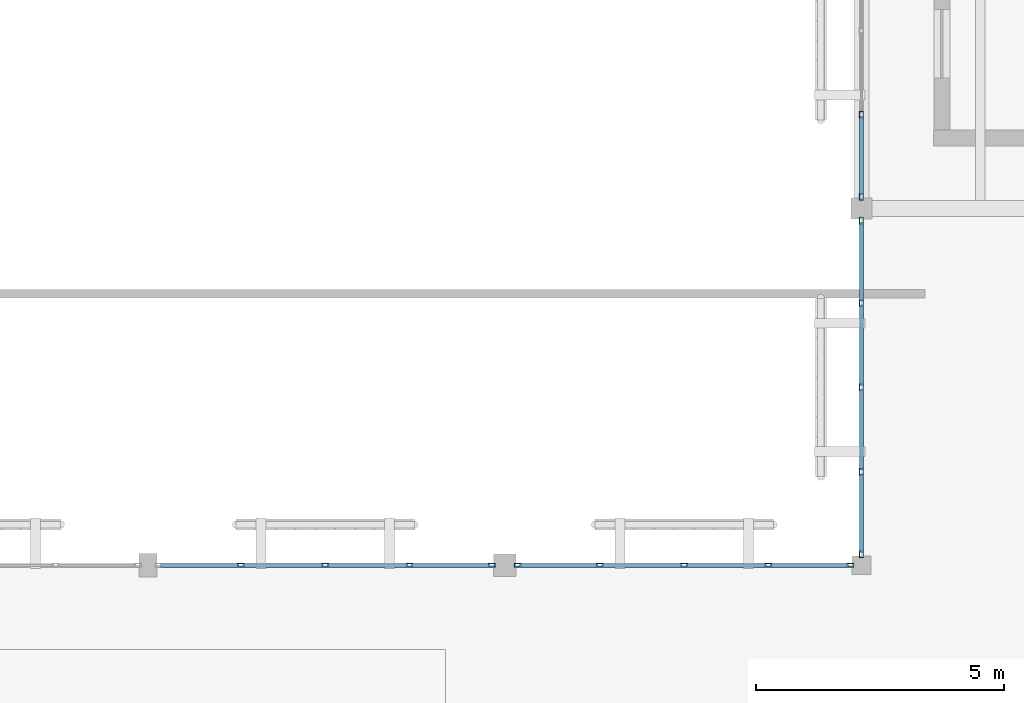
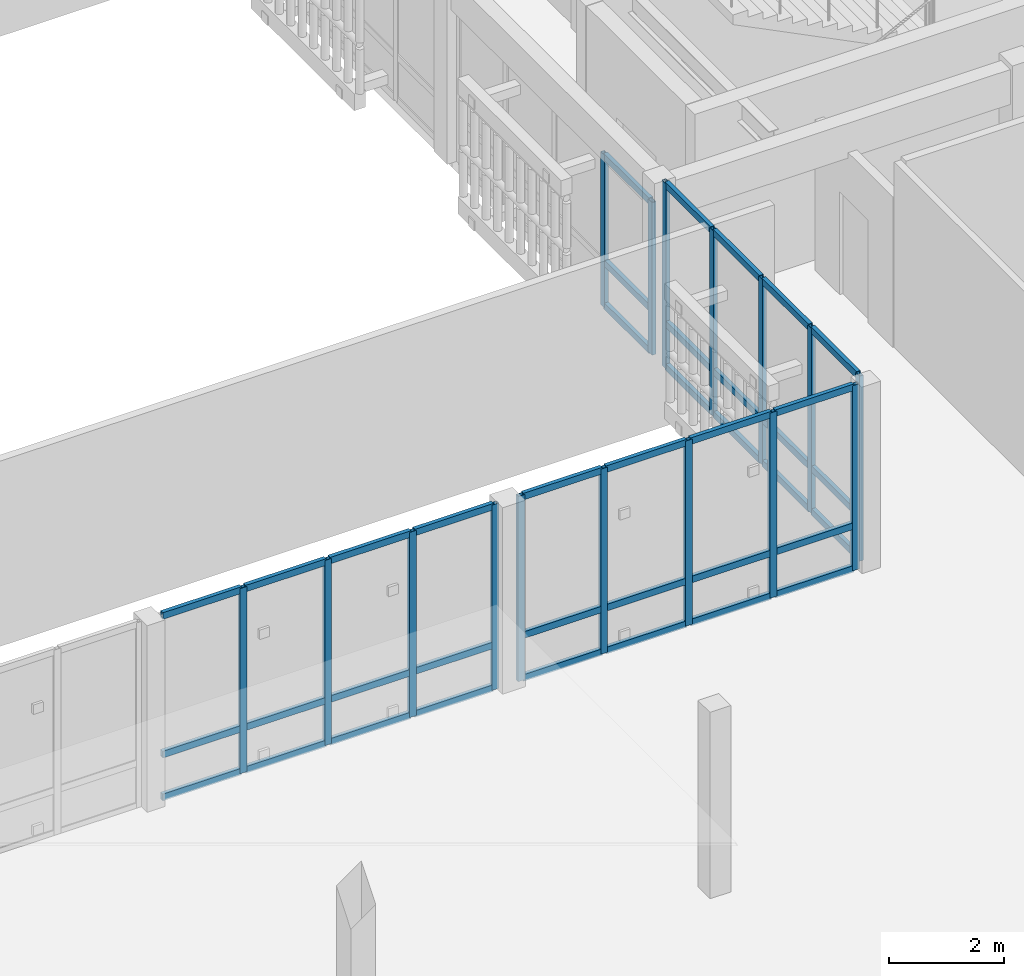
# One storey, part 57 of 112: 55 members, 4 elements without a shape of their own.
"""IFC4 building model written with IfcOpenShell, lengths in metres."""

from ifc_helpers import new_model, si_unit, direction, frame, origin, origin_2d, place, context, subcontext, project, spatial, hollow_rectangle, extrude, material, layer, layer_set, material_profile, profile_set, type_object, element, aggregate, save


model = new_model("IFC4")

# Units and contexts
model_context = context("Model", 3, precision=1e-05, world=origin(), true_north=direction((0.0, 1.0)))
body_context = subcontext(model_context, "Body", "Model", "MODEL_VIEW")
ifc_project = project(units=[si_unit("LENGTHUNIT", "METRE"), si_unit("AREAUNIT", "SQUARE_METRE"), si_unit("VOLUMEUNIT", "CUBIC_METRE"), si_unit("PLANEANGLEUNIT", "RADIAN"), si_unit("MASSUNIT", "GRAM", prefix="KILO")], contexts=[model_context])

# Site, building, storey
site_placement = place(None, origin())
site = spatial("IfcSite", under=ifc_project, at=site_placement, CompositionType="ELEMENT")
building_placement = place(site_placement, origin())
building = spatial("IfcBuilding", under=site, at=building_placement, Name="Mazaris Harbour Polytechnic", CompositionType="ELEMENT")
storey_placement = place(building_placement, frame((0.0, 0.0, 13.800048828125)))
storey = spatial("IfcBuildingStorey", under=building, at=storey_placement, Name="L03", CompositionType="ELEMENT", Elevation=13.800048828125)

# Curtain wall, members
ifc_material_1 = material(Name="Anodised Bronze Aluminium and Low-E Glass", Category="aluminium")
ifc_layer = layer(ifc_material_1, 0.169921875, Name="Anodised Bronze Aluminium and Low-E Glass")
ifc_layer_set = layer_set([ifc_layer], Name="Anodised Bronze Aluminium and Low-E Glass")
curtain_wall_type = type_object("IfcCurtainWallType", Name="Studio North-Light Curtain Wall", PredefinedType="NOTDEFINED", material=ifc_layer_set)
curtain_wall_1_placement = place(storey_placement, origin())
curtain_wall_1 = element("IfcCurtainWall", 1, at=curtain_wall_1_placement, inside=storey, type_object=curtain_wall_type, Name="V5 L03 Curtain Wall 258", PredefinedType="NOTDEFINED")
ifc_material_2 = material(Name="Anodised Bronze Steel S355", Category="steel")
ifc_material_profile_1 = material_profile(ifc_material_2, hollow_rectangle(XDim=0.080078125, YDim=0.139892578125, WallThickness=0.00634765625, at=origin_2d()), Name="RHS 80x140x6.3")
ifc_profile_set_1 = profile_set([ifc_material_profile_1], Name="Anodised Bronze Steel S355")
member_type_1 = type_object("IfcMemberType", Name="Curtain Mullion RHS80x140", PredefinedType="MULLION", material=ifc_profile_set_1)
member_1_placement = place(storey_placement, frame((145.87353515625, 61.199951171875, 0.0), z_axis=(0.0, 0.0, 1.0), x_axis=(0.0, 1.0, 0.0)))
member_1 = element("IfcMember", 2, at=member_1_placement, type_object=member_type_1, Name="CW-03 mullion 2", PredefinedType="MULLION", context=body_context, shape_type="SweptSolid", body=[
    extrude(hollow_rectangle(XDim=0.080078125, YDim=0.139892578125, WallThickness=0.00634765625, at=origin_2d()), origin(), (0.0, 0.0, 1.0), 3.93505859375),
])
member_2_placement = place(storey_placement, frame((147.574951171875, 61.199951171875, 0.0), z_axis=(0.0, 0.0, 1.0), x_axis=(0.0, 1.0, 0.0)))
member_2 = element("IfcMember", 3, at=member_2_placement, type_object=member_type_1, Name="CW-03 mullion 3", PredefinedType="MULLION", context=body_context, shape_type="SweptSolid", body=[
    extrude(hollow_rectangle(XDim=0.080078125, YDim=0.139892578125, WallThickness=0.00634765625, at=origin_2d()), origin(), (0.0, 0.0, 1.0), 3.93505859375),
])
member_3_placement = place(storey_placement, frame((149.276611328125, 61.199951171875, 0.0), z_axis=(0.0, 0.0, 1.0), x_axis=(0.0, 1.0, 0.0)))
member_3 = element("IfcMember", 4, at=member_3_placement, type_object=member_type_1, Name="CW-03 mullion 4", PredefinedType="MULLION", context=body_context, shape_type="SweptSolid", body=[
    extrude(hollow_rectangle(XDim=0.080078125, YDim=0.139892578125, WallThickness=0.00634765625, at=origin_2d()), origin(), (0.0, 0.0, 1.0), 3.93505859375),
])
member_4_placement = place(storey_placement, frame((150.93798828125, 61.199951171875, 0.0), z_axis=(0.0, 0.0, 1.0), x_axis=(0.0, 1.0, 0.0)))
member_4 = element("IfcMember", 5, at=member_4_placement, type_object=member_type_1, Name="CW-03 mullion 5", PredefinedType="MULLION", context=body_context, shape_type="SweptSolid", body=[
    extrude(hollow_rectangle(XDim=0.080078125, YDim=0.139892578125, WallThickness=0.00634765625, at=origin_2d()), origin(), (0.0, 0.0, 1.0), 3.93505859375),
])

curtain_wall_2_placement = place(storey_placement, origin())
curtain_wall_2 = element("IfcCurtainWall", 6, at=curtain_wall_2_placement, inside=storey, type_object=curtain_wall_type, Name="V5 L03 Curtain Wall 259", PredefinedType="NOTDEFINED")
member_5_placement = place(storey_placement, frame((151.4619140625, 61.199951171875, 0.0), z_axis=(0.0, 0.0, 1.0), x_axis=(0.0, 1.0, 0.0)))
member_5 = element("IfcMember", 7, at=member_5_placement, type_object=member_type_1, Name="CW-03 mullion 1", PredefinedType="MULLION", context=body_context, shape_type="SweptSolid", body=[
    extrude(hollow_rectangle(XDim=0.080078125, YDim=0.139892578125, WallThickness=0.00634765625, at=origin_2d()), origin(), (0.0, 0.0, 1.0), 3.93505859375),
])
member_6_placement = place(storey_placement, frame((153.12109375, 61.199951171875, 0.0), z_axis=(0.0, 0.0, 1.0), x_axis=(0.0, 1.0, 0.0)))
member_6 = element("IfcMember", 8, at=member_6_placement, type_object=member_type_1, Name="CW-03 mullion 2", PredefinedType="MULLION", context=body_context, shape_type="SweptSolid", body=[
    extrude(hollow_rectangle(XDim=0.080078125, YDim=0.139892578125, WallThickness=0.00634765625, at=origin_2d()), origin(), (0.0, 0.0, 1.0), 3.93505859375),
])
member_7_placement = place(storey_placement, frame((154.820068359375, 61.199951171875, 0.0), z_axis=(0.0, 0.0, 1.0), x_axis=(0.0, 1.0, 0.0)))
member_7 = element("IfcMember", 9, at=member_7_placement, type_object=member_type_1, Name="CW-03 mullion 3", PredefinedType="MULLION", context=body_context, shape_type="SweptSolid", body=[
    extrude(hollow_rectangle(XDim=0.080078125, YDim=0.139892578125, WallThickness=0.00634765625, at=origin_2d()), origin(), (0.0, 0.0, 1.0), 3.93505859375),
])
member_8_placement = place(storey_placement, frame((156.51904296875, 61.199951171875, 0.0), z_axis=(0.0, 0.0, 1.0), x_axis=(0.0, 1.0, 0.0)))
member_8 = element("IfcMember", 10, at=member_8_placement, type_object=member_type_1, Name="CW-03 mullion 4", PredefinedType="MULLION", context=body_context, shape_type="SweptSolid", body=[
    extrude(hollow_rectangle(XDim=0.080078125, YDim=0.139892578125, WallThickness=0.00634765625, at=origin_2d()), origin(), (0.0, 0.0, 1.0), 3.93505859375),
])
member_9_placement = place(storey_placement, frame((158.177978515625, 61.199951171875, 0.0), z_axis=(0.0, 0.0, 1.0), x_axis=(0.0, 1.0, 0.0)))
member_9 = element("IfcMember", 11, at=member_9_placement, type_object=member_type_1, Name="CW-03 mullion 5", PredefinedType="MULLION", context=body_context, shape_type="SweptSolid", body=[
    extrude(hollow_rectangle(XDim=0.080078125, YDim=0.139892578125, WallThickness=0.00634765625, at=origin_2d()), origin(), (0.0, 0.0, 1.0), 3.93505859375),
])

curtain_wall_3_placement = place(storey_placement, origin())
curtain_wall_3 = element("IfcCurtainWall", 12, at=curtain_wall_3_placement, inside=storey, type_object=curtain_wall_type, Name="V5 L03 Curtain Wall 267", PredefinedType="NOTDEFINED")
member_10_placement = place(storey_placement, frame((158.39990234375, 68.157958984375, 0.0), z_axis=(0.0, 0.0, 1.0), x_axis=(1.0, 0.0, 0.0)))
member_10 = element("IfcMember", 13, at=member_10_placement, type_object=member_type_1, Name="CW-03 mullion 1", PredefinedType="MULLION", context=body_context, shape_type="SweptSolid", body=[
    extrude(hollow_rectangle(XDim=0.080078125, YDim=0.139892578125, WallThickness=0.00634765625, at=origin_2d()), origin(), (0.0, 0.0, 1.0), 3.93505859375),
])
member_11_placement = place(storey_placement, frame((158.39990234375, 66.493896484375, 0.0), z_axis=(0.0, 0.0, 1.0), x_axis=(1.0, 0.0, 0.0)))
member_11 = element("IfcMember", 14, at=member_11_placement, type_object=member_type_1, Name="CW-03 mullion 2", PredefinedType="MULLION", context=body_context, shape_type="SweptSolid", body=[
    extrude(hollow_rectangle(XDim=0.080078125, YDim=0.139892578125, WallThickness=0.00634765625, at=origin_2d()), origin(), (0.0, 0.0, 1.0), 3.93505859375),
])
member_12_placement = place(storey_placement, frame((158.39990234375, 64.7900390625, 0.0), z_axis=(0.0, 0.0, 1.0), x_axis=(1.0, 0.0, 0.0)))
member_12 = element("IfcMember", 15, at=member_12_placement, type_object=member_type_1, Name="CW-03 mullion 3", PredefinedType="MULLION", context=body_context, shape_type="SweptSolid", body=[
    extrude(hollow_rectangle(XDim=0.080078125, YDim=0.139892578125, WallThickness=0.00634765625, at=origin_2d()), origin(), (0.0, 0.0, 1.0), 3.93505859375),
])
member_13_placement = place(storey_placement, frame((158.39990234375, 63.0859375, 0.0), z_axis=(0.0, 0.0, 1.0), x_axis=(1.0, 0.0, 0.0)))
member_13 = element("IfcMember", 16, at=member_13_placement, type_object=member_type_1, Name="CW-03 mullion 4", PredefinedType="MULLION", context=body_context, shape_type="SweptSolid", body=[
    extrude(hollow_rectangle(XDim=0.080078125, YDim=0.139892578125, WallThickness=0.00634765625, at=origin_2d()), origin(), (0.0, 0.0, 1.0), 3.93505859375),
])
member_14_placement = place(storey_placement, frame((158.39990234375, 61.422119140625, 0.0), z_axis=(0.0, 0.0, 1.0), x_axis=(1.0, 0.0, 0.0)))
member_14 = element("IfcMember", 17, at=member_14_placement, type_object=member_type_1, Name="CW-03 mullion 5", PredefinedType="MULLION", context=body_context, shape_type="SweptSolid", body=[
    extrude(hollow_rectangle(XDim=0.080078125, YDim=0.139892578125, WallThickness=0.00634765625, at=origin_2d()), origin(), (0.0, 0.0, 1.0), 3.93505859375),
])

curtain_wall_4_placement = place(storey_placement, origin())
curtain_wall_4 = element("IfcCurtainWall", 18, at=curtain_wall_4_placement, inside=storey, type_object=curtain_wall_type, Name="V5 L03 Curtain Wall 268", PredefinedType="NOTDEFINED")
member_15_placement = place(storey_placement, frame((158.39990234375, 70.2958984375, 0.0), z_axis=(0.0, 0.0, 1.0), x_axis=(1.0, 0.0, 0.0)))
member_15 = element("IfcMember", 19, at=member_15_placement, type_object=member_type_1, Name="CW-03 mullion 4", PredefinedType="MULLION", context=body_context, shape_type="SweptSolid", body=[
    extrude(hollow_rectangle(XDim=0.080078125, YDim=0.139892578125, WallThickness=0.00634765625, at=origin_2d()), origin(), (0.0, 0.0, 1.0), 3.244873046875),
])
member_16_placement = place(storey_placement, frame((158.39990234375, 68.64208984375, 0.0), z_axis=(0.0, 0.0, 1.0), x_axis=(1.0, 0.0, 0.0)))
member_16 = element("IfcMember", 20, at=member_16_placement, type_object=member_type_1, Name="CW-03 mullion 5", PredefinedType="MULLION", context=body_context, shape_type="SweptSolid", body=[
    extrude(hollow_rectangle(XDim=0.080078125, YDim=0.139892578125, WallThickness=0.00634765625, at=origin_2d()), origin(), (0.0, 0.0, 1.0), 3.244873046875),
])

# Member
ifc_material_3 = material(Name="Anodised Bronze Steel S355", Category="steel")
ifc_material_profile_2 = material_profile(ifc_material_3, hollow_rectangle(XDim=0.080078125, YDim=0.139892578125, WallThickness=0.00634765625, at=origin_2d()), Name="RHS 80x140x6.3")
ifc_profile_set_2 = profile_set([ifc_material_profile_2], Name="Anodised Bronze Steel S355")
member_type_2 = type_object("IfcMemberType", Name="Curtain Transom RHS80x140", PredefinedType="USERDEFINED", material=ifc_profile_set_2)
member_17_placement = place(storey_placement, frame((144.251953125, 61.199951171875, 0.0400390625), z_axis=(1.0, 0.0, 0.0), x_axis=(0.0, 1.0, 0.0)))
member_17 = element("IfcMember", 21, at=member_17_placement, type_object=member_type_2, Name="CW-03 transom 1.1", ObjectType="TRANSOM", PredefinedType="USERDEFINED", context=body_context, shape_type="SweptSolid", body=[
    extrude(hollow_rectangle(XDim=0.080078125, YDim=0.139892578125, WallThickness=0.00634765625, at=origin_2d()), origin(), (0.0, 0.0, 1.0), 1.58154296875),
])

member_18_placement = place(storey_placement, frame((144.251953125, 61.199951171875, 0.949951171875), z_axis=(1.0, 0.0, 0.0), x_axis=(0.0, 1.0, 0.0)))
member_18 = element("IfcMember", 22, at=member_18_placement, type_object=member_type_2, Name="CW-03 transom 1.2", ObjectType="TRANSOM", PredefinedType="USERDEFINED", context=body_context, shape_type="SweptSolid", body=[
    extrude(hollow_rectangle(XDim=0.080078125, YDim=0.139892578125, WallThickness=0.00634765625, at=origin_2d()), origin(), (0.0, 0.0, 1.0), 1.58154296875),
])

member_19_placement = place(storey_placement, frame((144.251953125, 61.199951171875, 3.89501953125), z_axis=(1.0, 0.0, 0.0), x_axis=(0.0, 1.0, 0.0)))
member_19 = element("IfcMember", 23, at=member_19_placement, type_object=member_type_2, Name="CW-03 transom 1.3", ObjectType="TRANSOM", PredefinedType="USERDEFINED", context=body_context, shape_type="SweptSolid", body=[
    extrude(hollow_rectangle(XDim=0.080078125, YDim=0.139892578125, WallThickness=0.00634765625, at=origin_2d()), origin(), (0.0, 0.0, 1.0), 1.58154296875),
])

member_20_placement = place(storey_placement, frame((145.91357421875, 61.199951171875, 0.0400390625), z_axis=(1.0, 0.0, 0.0), x_axis=(0.0, 1.0, 0.0)))
member_20 = element("IfcMember", 24, at=member_20_placement, type_object=member_type_2, Name="CW-03 transom 2.1", ObjectType="TRANSOM", PredefinedType="USERDEFINED", context=body_context, shape_type="SweptSolid", body=[
    extrude(hollow_rectangle(XDim=0.080078125, YDim=0.139892578125, WallThickness=0.00634765625, at=origin_2d()), origin(), (0.0, 0.0, 1.0), 1.621337890625),
])

member_21_placement = place(storey_placement, frame((145.91357421875, 61.199951171875, 0.949951171875), z_axis=(1.0, 0.0, 0.0), x_axis=(0.0, 1.0, 0.0)))
member_21 = element("IfcMember", 25, at=member_21_placement, type_object=member_type_2, Name="CW-03 transom 2.2", ObjectType="TRANSOM", PredefinedType="USERDEFINED", context=body_context, shape_type="SweptSolid", body=[
    extrude(hollow_rectangle(XDim=0.080078125, YDim=0.139892578125, WallThickness=0.00634765625, at=origin_2d()), origin(), (0.0, 0.0, 1.0), 1.621337890625),
])

member_22_placement = place(storey_placement, frame((145.91357421875, 61.199951171875, 3.89501953125), z_axis=(1.0, 0.0, 0.0), x_axis=(0.0, 1.0, 0.0)))
member_22 = element("IfcMember", 26, at=member_22_placement, type_object=member_type_2, Name="CW-03 transom 2.3", ObjectType="TRANSOM", PredefinedType="USERDEFINED", context=body_context, shape_type="SweptSolid", body=[
    extrude(hollow_rectangle(XDim=0.080078125, YDim=0.139892578125, WallThickness=0.00634765625, at=origin_2d()), origin(), (0.0, 0.0, 1.0), 1.621337890625),
])

member_23_placement = place(storey_placement, frame((147.614990234375, 61.199951171875, 0.0400390625), z_axis=(1.0, 0.0, 0.0), x_axis=(0.0, 1.0, 0.0)))
member_23 = element("IfcMember", 27, at=member_23_placement, type_object=member_type_2, Name="CW-03 transom 3.1", ObjectType="TRANSOM", PredefinedType="USERDEFINED", context=body_context, shape_type="SweptSolid", body=[
    extrude(hollow_rectangle(XDim=0.080078125, YDim=0.139892578125, WallThickness=0.00634765625, at=origin_2d()), origin(), (0.0, 0.0, 1.0), 1.62158203125),
])

member_24_placement = place(storey_placement, frame((147.614990234375, 61.199951171875, 0.949951171875), z_axis=(1.0, 0.0, 0.0), x_axis=(0.0, 1.0, 0.0)))
member_24 = element("IfcMember", 28, at=member_24_placement, type_object=member_type_2, Name="CW-03 transom 3.2", ObjectType="TRANSOM", PredefinedType="USERDEFINED", context=body_context, shape_type="SweptSolid", body=[
    extrude(hollow_rectangle(XDim=0.080078125, YDim=0.139892578125, WallThickness=0.00634765625, at=origin_2d()), origin(), (0.0, 0.0, 1.0), 1.62158203125),
])

member_25_placement = place(storey_placement, frame((147.614990234375, 61.199951171875, 3.89501953125), z_axis=(1.0, 0.0, 0.0), x_axis=(0.0, 1.0, 0.0)))
member_25 = element("IfcMember", 29, at=member_25_placement, type_object=member_type_2, Name="CW-03 transom 3.3", ObjectType="TRANSOM", PredefinedType="USERDEFINED", context=body_context, shape_type="SweptSolid", body=[
    extrude(hollow_rectangle(XDim=0.080078125, YDim=0.139892578125, WallThickness=0.00634765625, at=origin_2d()), origin(), (0.0, 0.0, 1.0), 1.62158203125),
])

member_26_placement = place(storey_placement, frame((149.31640625, 61.199951171875, 0.0400390625), z_axis=(1.0, 0.0, 0.0), x_axis=(0.0, 1.0, 0.0)))
member_26 = element("IfcMember", 30, at=member_26_placement, type_object=member_type_2, Name="CW-03 transom 4.1", ObjectType="TRANSOM", PredefinedType="USERDEFINED", context=body_context, shape_type="SweptSolid", body=[
    extrude(hollow_rectangle(XDim=0.080078125, YDim=0.139892578125, WallThickness=0.00634765625, at=origin_2d()), origin(), (0.0, 0.0, 1.0), 1.58154296875),
])

member_27_placement = place(storey_placement, frame((149.31640625, 61.199951171875, 0.949951171875), z_axis=(1.0, 0.0, 0.0), x_axis=(0.0, 1.0, 0.0)))
member_27 = element("IfcMember", 31, at=member_27_placement, type_object=member_type_2, Name="CW-03 transom 4.2", ObjectType="TRANSOM", PredefinedType="USERDEFINED", context=body_context, shape_type="SweptSolid", body=[
    extrude(hollow_rectangle(XDim=0.080078125, YDim=0.139892578125, WallThickness=0.00634765625, at=origin_2d()), origin(), (0.0, 0.0, 1.0), 1.58154296875),
])

member_28_placement = place(storey_placement, frame((149.31640625, 61.199951171875, 3.89501953125), z_axis=(1.0, 0.0, 0.0), x_axis=(0.0, 1.0, 0.0)))
member_28 = element("IfcMember", 32, at=member_28_placement, type_object=member_type_2, Name="CW-03 transom 4.3", ObjectType="TRANSOM", PredefinedType="USERDEFINED", context=body_context, shape_type="SweptSolid", body=[
    extrude(hollow_rectangle(XDim=0.080078125, YDim=0.139892578125, WallThickness=0.00634765625, at=origin_2d()), origin(), (0.0, 0.0, 1.0), 1.58154296875),
])

aggregate(curtain_wall_1, [member_1, member_2, member_3, member_4, member_17, member_18, member_19, member_20, member_21, member_22, member_23, member_24, member_25, member_26, member_27, member_28])

member_29_placement = place(storey_placement, frame((151.501953125, 61.199951171875, 0.0400390625), z_axis=(1.0, 0.0, 0.0), x_axis=(0.0, 1.0, 0.0)))
member_29 = element("IfcMember", 33, at=member_29_placement, type_object=member_type_2, Name="CW-03 transom 1.1", ObjectType="TRANSOM", PredefinedType="USERDEFINED", context=body_context, shape_type="SweptSolid", body=[
    extrude(hollow_rectangle(XDim=0.080078125, YDim=0.139892578125, WallThickness=0.00634765625, at=origin_2d()), origin(), (0.0, 0.0, 1.0), 1.5791015625),
])

member_30_placement = place(storey_placement, frame((151.501953125, 61.199951171875, 0.949951171875), z_axis=(1.0, 0.0, 0.0), x_axis=(0.0, 1.0, 0.0)))
member_30 = element("IfcMember", 34, at=member_30_placement, type_object=member_type_2, Name="CW-03 transom 1.2", ObjectType="TRANSOM", PredefinedType="USERDEFINED", context=body_context, shape_type="SweptSolid", body=[
    extrude(hollow_rectangle(XDim=0.080078125, YDim=0.139892578125, WallThickness=0.00634765625, at=origin_2d()), origin(), (0.0, 0.0, 1.0), 1.5791015625),
])

member_31_placement = place(storey_placement, frame((151.501953125, 61.199951171875, 3.89501953125), z_axis=(1.0, 0.0, 0.0), x_axis=(0.0, 1.0, 0.0)))
member_31 = element("IfcMember", 35, at=member_31_placement, type_object=member_type_2, Name="CW-03 transom 1.3", ObjectType="TRANSOM", PredefinedType="USERDEFINED", context=body_context, shape_type="SweptSolid", body=[
    extrude(hollow_rectangle(XDim=0.080078125, YDim=0.139892578125, WallThickness=0.00634765625, at=origin_2d()), origin(), (0.0, 0.0, 1.0), 1.5791015625),
])

member_32_placement = place(storey_placement, frame((153.160888671875, 61.199951171875, 0.0400390625), z_axis=(1.0, 0.0, 0.0), x_axis=(0.0, 1.0, 0.0)))
member_32 = element("IfcMember", 36, at=member_32_placement, type_object=member_type_2, Name="CW-03 transom 2.1", ObjectType="TRANSOM", PredefinedType="USERDEFINED", context=body_context, shape_type="SweptSolid", body=[
    extrude(hollow_rectangle(XDim=0.080078125, YDim=0.139892578125, WallThickness=0.00634765625, at=origin_2d()), origin(), (0.0, 0.0, 1.0), 1.619140625),
])

member_33_placement = place(storey_placement, frame((153.160888671875, 61.199951171875, 0.949951171875), z_axis=(1.0, 0.0, 0.0), x_axis=(0.0, 1.0, 0.0)))
member_33 = element("IfcMember", 37, at=member_33_placement, type_object=member_type_2, Name="CW-03 transom 2.2", ObjectType="TRANSOM", PredefinedType="USERDEFINED", context=body_context, shape_type="SweptSolid", body=[
    extrude(hollow_rectangle(XDim=0.080078125, YDim=0.139892578125, WallThickness=0.00634765625, at=origin_2d()), origin(), (0.0, 0.0, 1.0), 1.619140625),
])

member_34_placement = place(storey_placement, frame((153.160888671875, 61.199951171875, 3.89501953125), z_axis=(1.0, 0.0, 0.0), x_axis=(0.0, 1.0, 0.0)))
member_34 = element("IfcMember", 38, at=member_34_placement, type_object=member_type_2, Name="CW-03 transom 2.3", ObjectType="TRANSOM", PredefinedType="USERDEFINED", context=body_context, shape_type="SweptSolid", body=[
    extrude(hollow_rectangle(XDim=0.080078125, YDim=0.139892578125, WallThickness=0.00634765625, at=origin_2d()), origin(), (0.0, 0.0, 1.0), 1.619140625),
])

member_35_placement = place(storey_placement, frame((154.860107421875, 61.199951171875, 0.0400390625), z_axis=(1.0, 0.0, 0.0), x_axis=(0.0, 1.0, 0.0)))
member_35 = element("IfcMember", 39, at=member_35_placement, type_object=member_type_2, Name="CW-03 transom 3.1", ObjectType="TRANSOM", PredefinedType="USERDEFINED", context=body_context, shape_type="SweptSolid", body=[
    extrude(hollow_rectangle(XDim=0.080078125, YDim=0.139892578125, WallThickness=0.00634765625, at=origin_2d()), origin(), (0.0, 0.0, 1.0), 1.618896484375),
])

member_36_placement = place(storey_placement, frame((154.860107421875, 61.199951171875, 0.949951171875), z_axis=(1.0, 0.0, 0.0), x_axis=(0.0, 1.0, 0.0)))
member_36 = element("IfcMember", 40, at=member_36_placement, type_object=member_type_2, Name="CW-03 transom 3.2", ObjectType="TRANSOM", PredefinedType="USERDEFINED", context=body_context, shape_type="SweptSolid", body=[
    extrude(hollow_rectangle(XDim=0.080078125, YDim=0.139892578125, WallThickness=0.00634765625, at=origin_2d()), origin(), (0.0, 0.0, 1.0), 1.618896484375),
])

member_37_placement = place(storey_placement, frame((154.860107421875, 61.199951171875, 3.89501953125), z_axis=(1.0, 0.0, 0.0), x_axis=(0.0, 1.0, 0.0)))
member_37 = element("IfcMember", 41, at=member_37_placement, type_object=member_type_2, Name="CW-03 transom 3.3", ObjectType="TRANSOM", PredefinedType="USERDEFINED", context=body_context, shape_type="SweptSolid", body=[
    extrude(hollow_rectangle(XDim=0.080078125, YDim=0.139892578125, WallThickness=0.00634765625, at=origin_2d()), origin(), (0.0, 0.0, 1.0), 1.618896484375),
])

member_38_placement = place(storey_placement, frame((156.55908203125, 61.199951171875, 0.0400390625), z_axis=(1.0, 0.0, 0.0), x_axis=(0.0, 1.0, 0.0)))
member_38 = element("IfcMember", 42, at=member_38_placement, type_object=member_type_2, Name="CW-03 transom 4.1", ObjectType="TRANSOM", PredefinedType="USERDEFINED", context=body_context, shape_type="SweptSolid", body=[
    extrude(hollow_rectangle(XDim=0.080078125, YDim=0.139892578125, WallThickness=0.00634765625, at=origin_2d()), origin(), (0.0, 0.0, 1.0), 1.578857421875),
])

member_39_placement = place(storey_placement, frame((156.55908203125, 61.199951171875, 0.949951171875), z_axis=(1.0, 0.0, 0.0), x_axis=(0.0, 1.0, 0.0)))
member_39 = element("IfcMember", 43, at=member_39_placement, type_object=member_type_2, Name="CW-03 transom 4.2", ObjectType="TRANSOM", PredefinedType="USERDEFINED", context=body_context, shape_type="SweptSolid", body=[
    extrude(hollow_rectangle(XDim=0.080078125, YDim=0.139892578125, WallThickness=0.00634765625, at=origin_2d()), origin(), (0.0, 0.0, 1.0), 1.578857421875),
])

member_40_placement = place(storey_placement, frame((156.55908203125, 61.199951171875, 3.89501953125), z_axis=(1.0, 0.0, 0.0), x_axis=(0.0, 1.0, 0.0)))
member_40 = element("IfcMember", 44, at=member_40_placement, type_object=member_type_2, Name="CW-03 transom 4.3", ObjectType="TRANSOM", PredefinedType="USERDEFINED", context=body_context, shape_type="SweptSolid", body=[
    extrude(hollow_rectangle(XDim=0.080078125, YDim=0.139892578125, WallThickness=0.00634765625, at=origin_2d()), origin(), (0.0, 0.0, 1.0), 1.578857421875),
])

aggregate(curtain_wall_2, [member_5, member_6, member_7, member_8, member_9, member_29, member_30, member_31, member_32, member_33, member_34, member_35, member_36, member_37, member_38, member_39, member_40])

member_41_placement = place(storey_placement, frame((158.39990234375, 68.117919921875, 0.0400390625), z_axis=(0.0, -1.0, 0.0), x_axis=(1.0, 0.0, 0.0)))
member_41 = element("IfcMember", 45, at=member_41_placement, type_object=member_type_2, Name="CW-03 transom 1.1", ObjectType="TRANSOM", PredefinedType="USERDEFINED", context=body_context, shape_type="SweptSolid", body=[
    extrude(hollow_rectangle(XDim=0.080078125, YDim=0.139892578125, WallThickness=0.00634765625, at=origin_2d()), origin(), (0.0, 0.0, 1.0), 1.583984375),
])

member_42_placement = place(storey_placement, frame((158.39990234375, 68.117919921875, 0.949951171875), z_axis=(0.0, -1.0, 0.0), x_axis=(1.0, 0.0, 0.0)))
member_42 = element("IfcMember", 46, at=member_42_placement, type_object=member_type_2, Name="CW-03 transom 1.2", ObjectType="TRANSOM", PredefinedType="USERDEFINED", context=body_context, shape_type="SweptSolid", body=[
    extrude(hollow_rectangle(XDim=0.080078125, YDim=0.139892578125, WallThickness=0.00634765625, at=origin_2d()), origin(), (0.0, 0.0, 1.0), 1.583984375),
])

member_43_placement = place(storey_placement, frame((158.39990234375, 68.117919921875, 3.89501953125), z_axis=(0.0, -1.0, 0.0), x_axis=(1.0, 0.0, 0.0)))
member_43 = element("IfcMember", 47, at=member_43_placement, type_object=member_type_2, Name="CW-03 transom 1.3", ObjectType="TRANSOM", PredefinedType="USERDEFINED", context=body_context, shape_type="SweptSolid", body=[
    extrude(hollow_rectangle(XDim=0.080078125, YDim=0.139892578125, WallThickness=0.00634765625, at=origin_2d()), origin(), (0.0, 0.0, 1.0), 1.583984375),
])

member_44_placement = place(storey_placement, frame((158.39990234375, 66.4541015625, 0.0400390625), z_axis=(0.0, -1.0, 0.0), x_axis=(1.0, 0.0, 0.0)))
member_44 = element("IfcMember", 48, at=member_44_placement, type_object=member_type_2, Name="CW-03 transom 2.1", ObjectType="TRANSOM", PredefinedType="USERDEFINED", context=body_context, shape_type="SweptSolid", body=[
    extrude(hollow_rectangle(XDim=0.080078125, YDim=0.139892578125, WallThickness=0.00634765625, at=origin_2d()), origin(), (0.0, 0.0, 1.0), 1.6240234375),
])

member_45_placement = place(storey_placement, frame((158.39990234375, 66.4541015625, 0.949951171875), z_axis=(0.0, -1.0, 0.0), x_axis=(1.0, 0.0, 0.0)))
member_45 = element("IfcMember", 49, at=member_45_placement, type_object=member_type_2, Name="CW-03 transom 2.2", ObjectType="TRANSOM", PredefinedType="USERDEFINED", context=body_context, shape_type="SweptSolid", body=[
    extrude(hollow_rectangle(XDim=0.080078125, YDim=0.139892578125, WallThickness=0.00634765625, at=origin_2d()), origin(), (0.0, 0.0, 1.0), 1.6240234375),
])

member_46_placement = place(storey_placement, frame((158.39990234375, 66.4541015625, 3.89501953125), z_axis=(0.0, -1.0, 0.0), x_axis=(1.0, 0.0, 0.0)))
member_46 = element("IfcMember", 50, at=member_46_placement, type_object=member_type_2, Name="CW-03 transom 2.3", ObjectType="TRANSOM", PredefinedType="USERDEFINED", context=body_context, shape_type="SweptSolid", body=[
    extrude(hollow_rectangle(XDim=0.080078125, YDim=0.139892578125, WallThickness=0.00634765625, at=origin_2d()), origin(), (0.0, 0.0, 1.0), 1.6240234375),
])

member_47_placement = place(storey_placement, frame((158.39990234375, 64.75, 0.0400390625), z_axis=(0.0, -1.0, 0.0), x_axis=(1.0, 0.0, 0.0)))
member_47 = element("IfcMember", 51, at=member_47_placement, type_object=member_type_2, Name="CW-03 transom 3.1", ObjectType="TRANSOM", PredefinedType="USERDEFINED", context=body_context, shape_type="SweptSolid", body=[
    extrude(hollow_rectangle(XDim=0.080078125, YDim=0.139892578125, WallThickness=0.00634765625, at=origin_2d()), origin(), (0.0, 0.0, 1.0), 1.6240234375),
])

member_48_placement = place(storey_placement, frame((158.39990234375, 64.75, 0.949951171875), z_axis=(0.0, -1.0, 0.0), x_axis=(1.0, 0.0, 0.0)))
member_48 = element("IfcMember", 52, at=member_48_placement, type_object=member_type_2, Name="CW-03 transom 3.2", ObjectType="TRANSOM", PredefinedType="USERDEFINED", context=body_context, shape_type="SweptSolid", body=[
    extrude(hollow_rectangle(XDim=0.080078125, YDim=0.139892578125, WallThickness=0.00634765625, at=origin_2d()), origin(), (0.0, 0.0, 1.0), 1.6240234375),
])

member_49_placement = place(storey_placement, frame((158.39990234375, 64.75, 3.89501953125), z_axis=(0.0, -1.0, 0.0), x_axis=(1.0, 0.0, 0.0)))
member_49 = element("IfcMember", 53, at=member_49_placement, type_object=member_type_2, Name="CW-03 transom 3.3", ObjectType="TRANSOM", PredefinedType="USERDEFINED", context=body_context, shape_type="SweptSolid", body=[
    extrude(hollow_rectangle(XDim=0.080078125, YDim=0.139892578125, WallThickness=0.00634765625, at=origin_2d()), origin(), (0.0, 0.0, 1.0), 1.6240234375),
])

member_50_placement = place(storey_placement, frame((158.39990234375, 63.0458984375, 0.0400390625), z_axis=(0.0, -1.0, 0.0), x_axis=(1.0, 0.0, 0.0)))
member_50 = element("IfcMember", 54, at=member_50_placement, type_object=member_type_2, Name="CW-03 transom 4.1", ObjectType="TRANSOM", PredefinedType="USERDEFINED", context=body_context, shape_type="SweptSolid", body=[
    extrude(hollow_rectangle(XDim=0.080078125, YDim=0.139892578125, WallThickness=0.00634765625, at=origin_2d()), origin(), (0.0, 0.0, 1.0), 1.583984375),
])

member_51_placement = place(storey_placement, frame((158.39990234375, 63.0458984375, 0.949951171875), z_axis=(0.0, -1.0, 0.0), x_axis=(1.0, 0.0, 0.0)))
member_51 = element("IfcMember", 55, at=member_51_placement, type_object=member_type_2, Name="CW-03 transom 4.2", ObjectType="TRANSOM", PredefinedType="USERDEFINED", context=body_context, shape_type="SweptSolid", body=[
    extrude(hollow_rectangle(XDim=0.080078125, YDim=0.139892578125, WallThickness=0.00634765625, at=origin_2d()), origin(), (0.0, 0.0, 1.0), 1.583984375),
])

member_52_placement = place(storey_placement, frame((158.39990234375, 63.0458984375, 3.89501953125), z_axis=(0.0, -1.0, 0.0), x_axis=(1.0, 0.0, 0.0)))
member_52 = element("IfcMember", 56, at=member_52_placement, type_object=member_type_2, Name="CW-03 transom 4.3", ObjectType="TRANSOM", PredefinedType="USERDEFINED", context=body_context, shape_type="SweptSolid", body=[
    extrude(hollow_rectangle(XDim=0.080078125, YDim=0.139892578125, WallThickness=0.00634765625, at=origin_2d()), origin(), (0.0, 0.0, 1.0), 1.583984375),
])

aggregate(curtain_wall_3, [member_10, member_11, member_12, member_13, member_14, member_41, member_42, member_43, member_44, member_45, member_46, member_47, member_48, member_49, member_50, member_51, member_52])

member_53_placement = place(storey_placement, frame((158.39990234375, 70.256103515625, 0.0400390625), z_axis=(0.0, -1.0, 0.0), x_axis=(1.0, 0.0, 0.0)))
member_53 = element("IfcMember", 57, at=member_53_placement, type_object=member_type_2, Name="CW-03 transom 4.1", ObjectType="TRANSOM", PredefinedType="USERDEFINED", context=body_context, shape_type="SweptSolid", body=[
    extrude(hollow_rectangle(XDim=0.080078125, YDim=0.139892578125, WallThickness=0.00634765625, at=origin_2d()), origin(), (0.0, 0.0, 1.0), 1.57421875),
])

member_54_placement = place(storey_placement, frame((158.39990234375, 70.256103515625, 0.949951171875), z_axis=(0.0, -1.0, 0.0), x_axis=(1.0, 0.0, 0.0)))
member_54 = element("IfcMember", 58, at=member_54_placement, type_object=member_type_2, Name="CW-03 transom 4.2", ObjectType="TRANSOM", PredefinedType="USERDEFINED", context=body_context, shape_type="SweptSolid", body=[
    extrude(hollow_rectangle(XDim=0.080078125, YDim=0.139892578125, WallThickness=0.00634765625, at=origin_2d()), origin(), (0.0, 0.0, 1.0), 1.57421875),
])

member_55_placement = place(storey_placement, frame((158.39990234375, 70.256103515625, 3.204833984375), z_axis=(0.0, -1.0, 0.0), x_axis=(1.0, 0.0, 0.0)))
member_55 = element("IfcMember", 59, at=member_55_placement, type_object=member_type_2, Name="CW-03 transom 4.3", ObjectType="TRANSOM", PredefinedType="USERDEFINED", context=body_context, shape_type="SweptSolid", body=[
    extrude(hollow_rectangle(XDim=0.080078125, YDim=0.139892578125, WallThickness=0.00634765625, at=origin_2d()), origin(), (0.0, 0.0, 1.0), 1.57421875),
])

aggregate(curtain_wall_4, [member_15, member_16, member_53, member_54, member_55])

save(model, "model.ifc")
